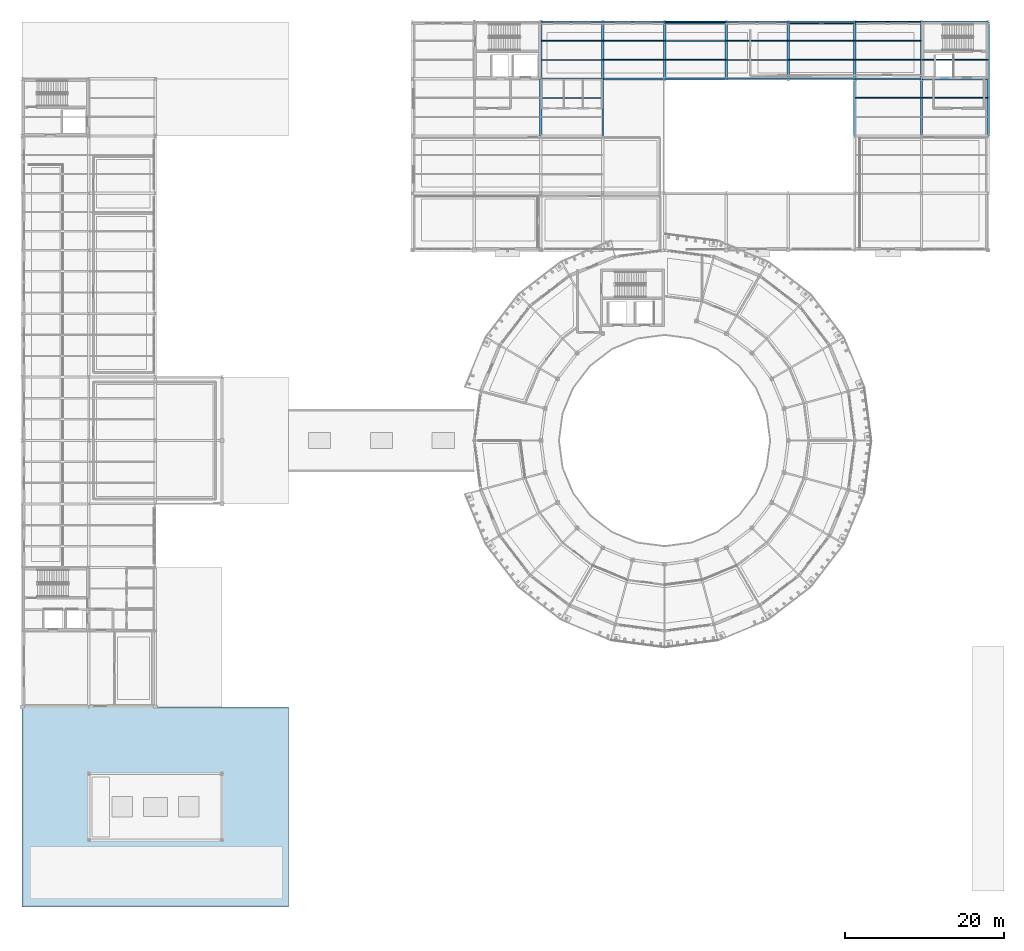
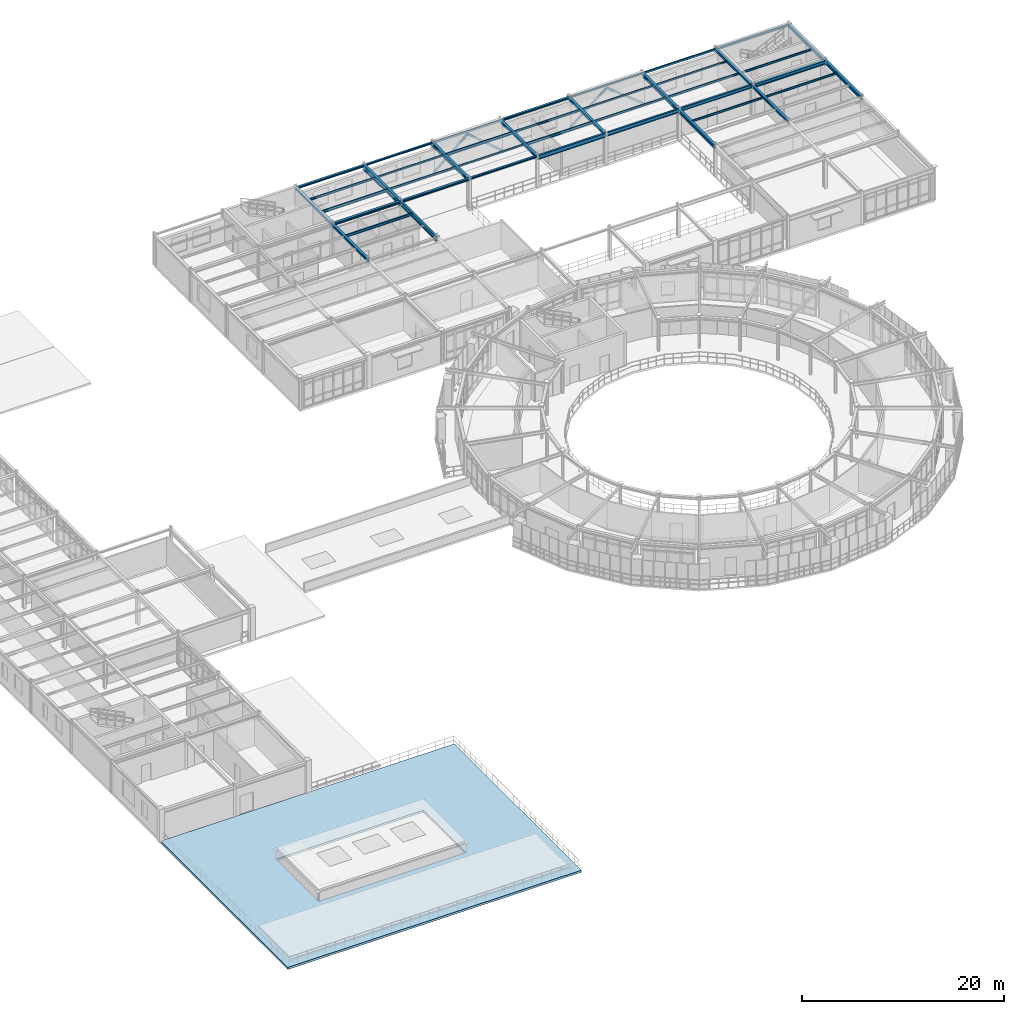
# One storey, part 39 of 70: 43 beams, 4 members, 1 slab.
"""IFC4 building model written with IfcOpenShell, lengths in metres."""

import ifcopenshell
import ifcopenshell.guid

model = None  # the IFC model being written
_history = None  # IfcOwnerHistory: only IFC2X3 demands one
_inside = {}  # id of a spatial element -> (the spatial element, [elements in it])
_under = {}  # id of a project, library or spatial element -> (it, [spatial elements below it])
_declared = {}  # id of a project -> (the project, [libraries it declares])
_typed = {}  # id of a type object -> (the type object, [elements of that type])
_made_of = {}  # id of a material, layer set ... -> (it, [elements and type objects made of it])


def new_model(schema):
    """Start an empty IFC model of exactly this schema.

    Asked for "IFC4X3", IfcOpenShell would pick the latest addendum, in which some entities
    have other attributes; the version numbers below select the first issue.
    IFC2X3 requires an IfcOwnerHistory on every rooted entity: one is made here for all.
    """
    global model, _history
    if schema == "IFC4X3":
        model = ifcopenshell.file(schema_version=(4, 3, 0, 0))
    else:
        model = ifcopenshell.file(schema=schema)
    _inside.clear()
    _under.clear()
    _declared.clear()
    _typed.clear()
    _made_of.clear()
    _history = None
    if model.schema == "IFC2X3":
        org = make("IfcOrganization", Name="unknown")
        user = make(
            "IfcPersonAndOrganization",
            ThePerson=make("IfcPerson", FamilyName="unknown"),
            TheOrganization=org,
        )
        app = make(
            "IfcApplication",
            ApplicationDeveloper=org,
            Version="unknown",
            ApplicationFullName="unknown",
            ApplicationIdentifier="unknown",
        )
        _history = make(
            "IfcOwnerHistory",
            OwningUser=user,
            OwningApplication=app,
            ChangeAction="ADDED",
            CreationDate=0,
        )
    return model


def make(cls, **values):
    """One entity of the class cls with the attributes given. An attribute that is None is left unset."""
    return model.create_entity(
        cls, **{name: value for name, value in values.items() if value is not None}
    )


def rooted(cls, **values):
    """An entity with a GlobalId (a new one), such as an element, a storey or a relation."""
    return make(cls, GlobalId=ifcopenshell.guid.new(), OwnerHistory=_history, **values)


def si_unit(unit_type, name, prefix=None):
    """IfcSIUnit, for example si_unit("LENGTHUNIT", "METRE", prefix="MILLI")."""
    return make("IfcSIUnit", UnitType=unit_type, Prefix=prefix, Name=name)


def derived_unit(unit_type, elements):
    """IfcDerivedUnit: a product of units, each with its exponent."""
    return make(
        "IfcDerivedUnit",
        Elements=[
            make("IfcDerivedUnitElement", Unit=unit, Exponent=power)
            for unit, power in elements
        ],
        UnitType=unit_type,
    )


def assignment(units):
    """IfcUnitAssignment: the units of a project."""
    return None if units is None else make("IfcUnitAssignment", Units=units)


def point(xyz):
    """IfcCartesianPoint."""
    return None if xyz is None else make("IfcCartesianPoint", Coordinates=xyz)


def direction(xyz):
    """IfcDirection."""
    return None if xyz is None else make("IfcDirection", DirectionRatios=xyz)


def frame(location, z_axis=None, x_axis=None):
    """IfcAxis2Placement3D, a coordinate frame: its origin and axes. An axis left out is left unset."""
    return make(
        "IfcAxis2Placement3D",
        Location=point(location),
        Axis=direction(z_axis),
        RefDirection=direction(x_axis),
    )


def frame_2d(location, x_axis=None):
    """IfcAxis2Placement2D, a coordinate frame in the plane: its origin and x axis."""
    return make(
        "IfcAxis2Placement2D", Location=point(location), RefDirection=direction(x_axis)
    )


def origin():
    """The frame at (0, 0, 0) with its axes left unset."""
    return frame((0.0, 0.0, 0.0))


def origin_2d():
    """The frame at (0, 0) in the plane with its x axis left unset."""
    return frame_2d((0.0, 0.0))


def place(relative_to, where):
    """IfcLocalPlacement: puts the frame where relative to a parent placement (None: the world)."""
    return make(
        "IfcLocalPlacement", PlacementRelTo=relative_to, RelativePlacement=where
    )


def context(
    kind, dimensions, precision=None, world=None, true_north=None, identifier=None
):
    """IfcGeometricRepresentationContext, for example the 3D "Model" context."""
    return make(
        "IfcGeometricRepresentationContext",
        ContextIdentifier=identifier,
        ContextType=kind,
        CoordinateSpaceDimension=dimensions,
        Precision=precision,
        WorldCoordinateSystem=world,
        TrueNorth=true_north,
    )


def subcontext(parent, identifier, kind, view, scale=None):
    """IfcGeometricRepresentationSubContext, for example "Body" below "Model"."""
    return make(
        "IfcGeometricRepresentationSubContext",
        ContextIdentifier=identifier,
        ContextType=kind,
        ParentContext=parent,
        TargetScale=scale,
        TargetView=view,
    )


def project(units=None, contexts=None):
    """IfcProject with its units and contexts."""
    return rooted(
        "IfcProject",
        Name="project",
        RepresentationContexts=contexts,
        UnitsInContext=assignment(units),
    )


def spatial(cls, under=None, at=None, **own):
    """A site, building, storey or space (cls), placed at a placement, below another one or the project."""
    s = rooted(cls, ObjectPlacement=at, **own)
    if under is not None:
        _under.setdefault(under.id(), (under, []))[1].append(s)
    return s


def polyline(points):
    """IfcPolyline through the points."""
    return make("IfcPolyline", Points=[point(p) for p in points])


def profile(cls, at=None, kind="AREA", **sizes):
    """A parametric profile (cls). Its sizes go by their IFC names, for example OverallWidth=200.0."""
    return make(cls, ProfileType=kind, Position=at, **sizes)


def hollow_rectangle(**sizes):
    """IfcRectangleHollowProfileDef."""
    return profile("IfcRectangleHollowProfileDef", **sizes)


def i_section(**sizes):
    """IfcIShapeProfileDef."""
    return profile("IfcIShapeProfileDef", **sizes)


def outline(outer, holes=None, kind="AREA"):
    """IfcArbitraryClosedProfileDef: a profile drawn as a closed curve; with holes, ...WithVoids."""
    if holes is None:
        return make("IfcArbitraryClosedProfileDef", ProfileType=kind, OuterCurve=outer)
    return make(
        "IfcArbitraryProfileDefWithVoids",
        ProfileType=kind,
        OuterCurve=outer,
        InnerCurves=holes,
    )


def extrude(swept, where, along, depth):
    """IfcExtrudedAreaSolid: the profile swept, set in the frame where, extruded along a direction by depth."""
    return make(
        "IfcExtrudedAreaSolid",
        SweptArea=swept,
        Position=where,
        ExtrudedDirection=direction(along),
        Depth=depth,
    )


def shape(context_of_items, identifier, shape_type, items):
    """IfcShapeRepresentation: the items that make up one representation, for example the "Body"."""
    return make(
        "IfcShapeRepresentation",
        ContextOfItems=context_of_items,
        RepresentationIdentifier=identifier,
        RepresentationType=shape_type,
        Items=items,
    )


def material(Name=None, Category=None):
    """IfcMaterial."""
    return make("IfcMaterial", Name=Name, Category=Category)


def layer(
    of_material, thickness, ventilated=None, Name=None, Category=None, Priority=None
):
    """IfcMaterialLayer: one layer of a wall or slab, of a material (None: an air gap)."""
    return make(
        "IfcMaterialLayer",
        Material=of_material,
        LayerThickness=thickness,
        IsVentilated=ventilated,
        Name=Name,
        Category=Category,
        Priority=Priority,
    )


def layer_set(layers, Name=None):
    """IfcMaterialLayerSet."""
    return make("IfcMaterialLayerSet", MaterialLayers=layers, LayerSetName=Name)


def material_profile(
    of_material, cross_section, Name=None, Category=None, Priority=None
):
    """IfcMaterialProfile: a cross section and its material."""
    return make(
        "IfcMaterialProfile",
        Name=Name,
        Material=of_material,
        Profile=cross_section,
        Priority=Priority,
        Category=Category,
    )


def profile_set(profiles, Name=None, composite=None):
    """IfcMaterialProfileSet."""
    return make(
        "IfcMaterialProfileSet",
        Name=Name,
        MaterialProfiles=profiles,
        CompositeProfile=composite,
    )


def made_of(thing, what):
    """Note that an element or type object is made of a material, layer set ...; save() writes the relation."""
    if what is not None:
        _made_of.setdefault(what.id(), (what, []))[1].append(thing)
    return thing


def type_object(cls, material=None, **own):
    """A type object (cls), such as IfcWallType, which elements share."""
    return made_of(rooted(cls, **own), material)


def element(
    cls,
    number,
    at=None,
    inside=None,
    cuts=None,
    type_object=None,
    material=None,
    context=None,
    identifier="Body",
    shape_type=None,
    held_by="IfcProductDefinitionShape",
    body=None,
    shapes=None,
    **own,
):
    """One element of the class cls, such as IfcWall. Its Tag is "e" and its number.

    at: its placement. inside: the storey or other place that contains it. cuts: it is an
    opening in that element (IfcRelVoidsElement). A single representation is given by context,
    identifier, shape_type and body (its items); several are given by shapes. held_by: the class
    of the entity that holds the representations. save() writes the other relations.
    """
    e = rooted(cls, Tag="e%d" % number, ObjectPlacement=at, **own)
    if body is not None:
        shapes = [shape(context, identifier, shape_type, body)]
    if shapes is not None:
        e.Representation = make(held_by, Representations=shapes)
    if inside is not None:
        _inside.setdefault(inside.id(), (inside, []))[1].append(e)
    if cuts is not None:
        rooted(
            "IfcRelVoidsElement", RelatingBuildingElement=cuts, RelatedOpeningElement=e
        )
    if type_object is not None:
        _typed.setdefault(type_object.id(), (type_object, []))[1].append(e)
    return made_of(e, material)


def aggregate(whole, parts):
    """IfcRelAggregates: a whole, such as a stair, and the parts it consists of."""
    return rooted("IfcRelAggregates", RelatingObject=whole, RelatedObjects=parts)


def save(model, path):
    """Write the relations noted so far, then the file.

    IfcRelAggregates (storeys below a building ...), IfcRelContainedInSpatialStructure (elements
    in a storey), IfcRelDefinesByType, IfcRelAssociatesMaterial and IfcRelDeclares: one each for
    every whole, place, type object, material and project.
    """
    for whole, parts in _under.values():
        aggregate(whole, parts)
    for where, things in _inside.values():
        rooted(
            "IfcRelContainedInSpatialStructure",
            RelatedElements=things,
            RelatingStructure=where,
        )
    for kind, things in _typed.values():
        rooted("IfcRelDefinesByType", RelatedObjects=things, RelatingType=kind)
    for what, things in _made_of.values():
        rooted("IfcRelAssociatesMaterial", RelatedObjects=things, RelatingMaterial=what)
    for by, libraries in _declared.values():
        rooted("IfcRelDeclares", RelatingContext=by, RelatedDefinitions=libraries)
    model.write(path)


model = new_model("IFC4")

# Units and contexts
model_context = context("Model", 3, precision=1e-05, world=origin(), true_north=direction((0.0, 1.0)))
body_context = subcontext(model_context, "Body", "Model", "MODEL_VIEW")
ifc_project = project(units=[si_unit("LENGTHUNIT", "METRE"), si_unit("AREAUNIT", "SQUARE_METRE"), si_unit("VOLUMEUNIT", "CUBIC_METRE"), si_unit("PLANEANGLEUNIT", "RADIAN"), si_unit("MASSUNIT", "GRAM", prefix="KILO"), derived_unit("THERMALTRANSMITTANCEUNIT", [(si_unit("POWERUNIT", "WATT"), 1), (si_unit("AREAUNIT", "SQUARE_METRE"), -1), (si_unit("THERMODYNAMICTEMPERATUREUNIT", "KELVIN"), -1)])], contexts=[model_context])

# Site, building, storey
site_placement = place(None, origin())
site = spatial("IfcSite", under=ifc_project, at=site_placement, CompositionType="ELEMENT")
building_placement = place(site_placement, origin())
building = spatial("IfcBuilding", under=site, at=building_placement, Name="Yasenodar Specialist Clinic", CompositionType="ELEMENT")
storey_placement = place(building_placement, frame((0.0, 0.0, 13.199951171875)))
storey = spatial("IfcBuildingStorey", under=building, at=storey_placement, Name="L03", CompositionType="ELEMENT", Elevation=13.199951171875)

# Beams
ifc_material_1 = material(Name="Steel S355", Category="steel")
ifc_material_profile_1 = material_profile(ifc_material_1, i_section(OverallWidth=0.219970703125, OverallDepth=0.2099609375, WebThickness=0.007080078125, FlangeThickness=0.010986328125, FilletRadius=0.01806640625, at=origin_2d()), Name="HEA 220")
ifc_profile_set_1 = profile_set([ifc_material_profile_1], Name="Steel S355")
beam_type_1 = type_object("IfcBeamType", Name="BM-HEA220", PredefinedType="BEAM", material=ifc_profile_set_1)
beam_1_placement = place(storey_placement, frame((81.0, 104.39990234375, 3.695068359375), z_axis=(1.0, 0.0, 0.0), x_axis=(0.0, 1.0, 0.0)))
element("IfcBeam", 1, at=beam_1_placement, inside=storey, type_object=beam_type_1, Name="L03 Primary E-W Girder", PredefinedType="BEAM", context=body_context, shape_type="SweptSolid", body=[
    extrude(i_section(OverallWidth=0.219970703125, OverallDepth=0.2099609375, WebThickness=0.007080078125, FlangeThickness=0.010986328125, FilletRadius=0.01806640625, at=origin_2d()), origin(), (0.0, 0.0, 1.0), 7.800048828125),
])
ifc_material_profile_2 = material_profile(ifc_material_1, i_section(OverallWidth=0.260009765625, OverallDepth=0.25, WebThickness=0.007568359375, FlangeThickness=0.012451171875, FilletRadius=0.02392578125, at=origin_2d()), Name="HEA 260")
ifc_profile_set_2 = profile_set([ifc_material_profile_2], Name="Steel S355")
beam_type_2 = type_object("IfcBeamType", Name="BM-HEA260", PredefinedType="BEAM", material=ifc_profile_set_2)
beam_2_placement = place(storey_placement, frame((73.199951171875, 104.39990234375, 3.675048828125), z_axis=(1.0, 0.0, 0.0), x_axis=(0.0, 1.0, 0.0)))
element("IfcBeam", 2, at=beam_2_placement, inside=storey, type_object=beam_type_2, Name="L03 Primary E-W Girder", PredefinedType="BEAM", context=body_context, shape_type="SweptSolid", body=[
    extrude(i_section(OverallWidth=0.260009765625, OverallDepth=0.25, WebThickness=0.007568359375, FlangeThickness=0.012451171875, FilletRadius=0.02392578125, at=origin_2d()), origin(), (0.0, 0.0, 1.0), 7.800048828125),
])
ifc_material_profile_3 = material_profile(ifc_material_1, i_section(OverallWidth=0.280029296875, OverallDepth=0.27001953125, WebThickness=0.008056640625, FlangeThickness=0.012939453125, FilletRadius=0.02392578125, at=origin_2d()), Name="HEA 280")
ifc_profile_set_3 = profile_set([ifc_material_profile_3], Name="Steel S355")
beam_type_3 = type_object("IfcBeamType", Name="BM-HEA280", PredefinedType="BEAM", material=ifc_profile_set_3)
beam_3_placement = place(storey_placement, frame((65.39990234375, 104.39990234375, 3.6650390625), z_axis=(1.0, 0.0, 0.0), x_axis=(0.0, 1.0, 0.0)))
element("IfcBeam", 3, at=beam_3_placement, inside=storey, type_object=beam_type_3, Name="L03 Primary E-W Girder", PredefinedType="BEAM", context=body_context, shape_type="SweptSolid", body=[
    extrude(i_section(OverallWidth=0.280029296875, OverallDepth=0.27001953125, WebThickness=0.008056640625, FlangeThickness=0.012939453125, FilletRadius=0.02392578125, at=origin_2d()), origin(), (0.0, 0.0, 1.0), 7.800048828125),
])
ifc_material_profile_4 = material_profile(ifc_material_1, i_section(OverallWidth=0.300048828125, OverallDepth=0.2900390625, WebThickness=0.008544921875, FlangeThickness=0.013916015625, FilletRadius=0.027099609375, at=origin_2d()), Name="HEA 300")
ifc_profile_set_4 = profile_set([ifc_material_profile_4], Name="Steel S355")
beam_type_4 = type_object("IfcBeamType", Name="BM-HEA300", PredefinedType="BEAM", material=ifc_profile_set_4)
for number, where, z_axis, x_axis, name in (
    (4, (96.60009765625, 104.39990234375, 3.655029296875), (0.0, 1.0, 0.0), (-1.0, 0.0, 0.0), "L03 Primary N-S Girder"),
    (5, (113.39990234375, 104.39990234375, 3.655029296875), (0.0, 1.0, 0.0), (-1.0, 0.0, 0.0), "L03 Primary N-S Girder"),
):
    element("IfcBeam", number, at=place(storey_placement, frame(where, z_axis=z_axis, x_axis=x_axis)), inside=storey, type_object=beam_type_4, Name=name, PredefinedType="BEAM", context=body_context, shape_type="SweptSolid", body=[
        extrude(i_section(OverallWidth=0.300048828125, OverallDepth=0.2900390625, WebThickness=0.008544921875, FlangeThickness=0.013916015625, FilletRadius=0.027099609375, at=origin_2d()), origin(), (0.0, 0.0, 1.0), 7.2001953125),
    ])
ifc_material_profile_5 = material_profile(ifc_material_1, i_section(OverallWidth=0.300048828125, OverallDepth=0.43994140625, WebThickness=0.011474609375, FlangeThickness=0.02099609375, FilletRadius=0.027099609375, at=origin_2d()), Name="HEA 450")
ifc_profile_set_5 = profile_set([ifc_material_profile_5], Name="Steel S355")
beam_type_5 = type_object("IfcBeamType", Name="BM-HEA450", PredefinedType="BEAM", material=ifc_profile_set_5)
beam_4_placement = place(storey_placement, frame((113.39990234375, 104.39990234375, 3.580078125), z_axis=(1.0, 0.0, 0.0), x_axis=(0.0, 1.0, 0.0)))
element("IfcBeam", 6, at=beam_4_placement, inside=storey, type_object=beam_type_5, Name="L03 Primary E-W Girder", PredefinedType="BEAM", context=body_context, shape_type="SweptSolid", body=[
    extrude(i_section(OverallWidth=0.300048828125, OverallDepth=0.43994140625, WebThickness=0.011474609375, FlangeThickness=0.02099609375, FilletRadius=0.027099609375, at=origin_2d()), origin(), (0.0, 0.0, 1.0), 8.400146484375),
])
ifc_material_profile_6 = material_profile(ifc_material_1, i_section(OverallWidth=0.280029296875, OverallDepth=0.280029296875, WebThickness=0.010498046875, FlangeThickness=0.01806640625, FilletRadius=0.02392578125, at=origin_2d()), Name="HEB 280")
ifc_profile_set_6 = profile_set([ifc_material_profile_6], Name="Steel S355")
beam_type_6 = type_object("IfcBeamType", Name="BM-HEB280", PredefinedType="BEAM", material=ifc_profile_set_6)
beam_5_placement = place(storey_placement, frame((113.39990234375, 97.199951171875, 3.66015625), z_axis=(0.0, 1.0, 0.0), x_axis=(-1.0, 0.0, 0.0)))
element("IfcBeam", 7, at=beam_5_placement, inside=storey, type_object=beam_type_6, Name="L03 Primary N-S Girder", PredefinedType="BEAM", context=body_context, shape_type="SweptSolid", body=[
    extrude(i_section(OverallWidth=0.280029296875, OverallDepth=0.280029296875, WebThickness=0.010498046875, FlangeThickness=0.01806640625, FilletRadius=0.02392578125, at=origin_2d()), origin(), (0.0, 0.0, 1.0), 7.199951171875),
])
ifc_material_profile_7 = material_profile(ifc_material_1, i_section(OverallWidth=0.300048828125, OverallDepth=0.300048828125, WebThickness=0.010986328125, FlangeThickness=0.01904296875, FilletRadius=0.027099609375, at=origin_2d()), Name="HEB 300")
ifc_profile_set_7 = profile_set([ifc_material_profile_7], Name="Steel S355")
beam_type_7 = type_object("IfcBeamType", Name="BM-HEB300", PredefinedType="BEAM", material=ifc_profile_set_7)
for number, where, z_axis, x_axis, name in (
    (8, (65.39990234375, 104.39990234375, 3.650146484375), (0.0, 1.0, 0.0), (-1.0, 0.0, 0.0), "L03 Primary N-S Girder"),
    (9, (88.800048828125, 104.39990234375, 3.650146484375), (0.0, 1.0, 0.0), (-1.0, 0.0, 0.0), "L03 Primary N-S Girder"),
):
    element("IfcBeam", number, at=place(storey_placement, frame(where, z_axis=z_axis, x_axis=x_axis)), inside=storey, type_object=beam_type_7, Name=name, PredefinedType="BEAM", context=body_context, shape_type="SweptSolid", body=[
        extrude(i_section(OverallWidth=0.300048828125, OverallDepth=0.300048828125, WebThickness=0.010986328125, FlangeThickness=0.01904296875, FilletRadius=0.027099609375, at=origin_2d()), origin(), (0.0, 0.0, 1.0), 7.2001953125),
    ])
ifc_material_profile_8 = material_profile(ifc_material_1, i_section(OverallWidth=0.300048828125, OverallDepth=0.340087890625, WebThickness=0.011962890625, FlangeThickness=0.021484375, FilletRadius=0.027099609375, at=origin_2d()), Name="HEB 340")
ifc_profile_set_8 = profile_set([ifc_material_profile_8], Name="Steel S355")
beam_type_8 = type_object("IfcBeamType", Name="BM-HEB340", PredefinedType="BEAM", material=ifc_profile_set_8)
beam_6_placement = place(storey_placement, frame((65.39990234375, 97.199951171875, 3.630126953125), z_axis=(0.0, 1.0, 0.0), x_axis=(-1.0, 0.0, 0.0)))
element("IfcBeam", 10, at=beam_6_placement, inside=storey, type_object=beam_type_8, Name="L03 Primary N-S Girder", PredefinedType="BEAM", context=body_context, shape_type="SweptSolid", body=[
    extrude(i_section(OverallWidth=0.300048828125, OverallDepth=0.340087890625, WebThickness=0.011962890625, FlangeThickness=0.021484375, FilletRadius=0.027099609375, at=origin_2d()), origin(), (0.0, 0.0, 1.0), 7.199951171875),
])
ifc_material_profile_9 = material_profile(ifc_material_1, i_section(OverallWidth=0.300048828125, OverallDepth=0.39990234375, WebThickness=0.013427734375, FlangeThickness=0.02392578125, FilletRadius=0.027099609375, at=origin_2d()), Name="HEB 400")
ifc_profile_set_9 = profile_set([ifc_material_profile_9], Name="Steel S355")
beam_type_9 = type_object("IfcBeamType", Name="BM-HEB400", PredefinedType="BEAM", material=ifc_profile_set_9)
for number, where, z_axis, x_axis, name in (
    (11, (81.0, 104.39990234375, 3.60009765625), (0.0, 1.0, 0.0), (-1.0, 0.0, 0.0), "L03 Primary N-S Girder"),
    (12, (105.0, 104.39990234375, 3.60009765625), (0.0, 1.0, 0.0), (-1.0, 0.0, 0.0), "L03 Primary N-S Girder"),
    (13, (121.800048828125, 104.39990234375, 3.60009765625), (0.0, 1.0, 0.0), (-1.0, 0.0, 0.0), "L03 Primary N-S Girder"),
):
    element("IfcBeam", number, at=place(storey_placement, frame(where, z_axis=z_axis, x_axis=x_axis)), inside=storey, type_object=beam_type_9, Name=name, PredefinedType="BEAM", context=body_context, shape_type="SweptSolid", body=[
        extrude(i_section(OverallWidth=0.300048828125, OverallDepth=0.39990234375, WebThickness=0.013427734375, FlangeThickness=0.02392578125, FilletRadius=0.027099609375, at=origin_2d()), origin(), (0.0, 0.0, 1.0), 7.2001953125),
    ])
ifc_material_profile_10 = material_profile(ifc_material_1, i_section(OverallWidth=0.300048828125, OverallDepth=0.449951171875, WebThickness=0.013916015625, FlangeThickness=0.02587890625, FilletRadius=0.027099609375, at=origin_2d()), Name="HEB 450")
ifc_profile_set_10 = profile_set([ifc_material_profile_10], Name="Steel S355")
beam_type_10 = type_object("IfcBeamType", Name="BM-HEB450", PredefinedType="BEAM", material=ifc_profile_set_10)
for number, where, z_axis, x_axis, name in (
    (14, (105.0, 97.199951171875, 3.574951171875), (0.0, 1.0, 0.0), (-1.0, 0.0, 0.0), "L03 Primary N-S Girder"),
    (15, (121.800048828125, 97.199951171875, 3.574951171875), (0.0, 1.0, 0.0), (-1.0, 0.0, 0.0), "L03 Primary N-S Girder"),
):
    element("IfcBeam", number, at=place(storey_placement, frame(where, z_axis=z_axis, x_axis=x_axis)), inside=storey, type_object=beam_type_10, Name=name, PredefinedType="BEAM", context=body_context, shape_type="SweptSolid", body=[
        extrude(i_section(OverallWidth=0.300048828125, OverallDepth=0.449951171875, WebThickness=0.013916015625, FlangeThickness=0.02587890625, FilletRadius=0.027099609375, at=origin_2d()), origin(), (0.0, 0.0, 1.0), 7.199951171875),
    ])
ifc_material_profile_11 = material_profile(ifc_material_1, i_section(OverallWidth=0.300048828125, OverallDepth=0.60009765625, WebThickness=0.015380859375, FlangeThickness=0.030029296875, FilletRadius=0.027099609375, at=origin_2d()), Name="HEB 600")
ifc_profile_set_11 = profile_set([ifc_material_profile_11], Name="Steel S355")
beam_type_11 = type_object("IfcBeamType", Name="BM-HEB600", PredefinedType="BEAM", material=ifc_profile_set_11)
beam_7_placement = place(storey_placement, frame((73.199951171875, 104.39990234375, 3.5), z_axis=(0.0, 1.0, 0.0), x_axis=(-1.0, 0.0, 0.0)))
element("IfcBeam", 16, at=beam_7_placement, inside=storey, type_object=beam_type_11, Name="L03 Primary N-S Girder", PredefinedType="BEAM", context=body_context, shape_type="SweptSolid", body=[
    extrude(i_section(OverallWidth=0.300048828125, OverallDepth=0.60009765625, WebThickness=0.015380859375, FlangeThickness=0.030029296875, FilletRadius=0.027099609375, at=origin_2d()), origin(), (0.0, 0.0, 1.0), 7.2001953125),
])
ifc_material_profile_12 = material_profile(ifc_material_1, i_section(OverallWidth=0.179931640625, OverallDepth=0.39990234375, WebThickness=0.008544921875, FlangeThickness=0.013427734375, FilletRadius=0.02099609375, at=origin_2d()), Name="IPE 400")
ifc_profile_set_12 = profile_set([ifc_material_profile_12], Name="Steel S355")
beam_type_12 = type_object("IfcBeamType", Name="BM-IPE400", PredefinedType="BEAM", material=ifc_profile_set_12)
beam_8_placement = place(storey_placement, frame((105.0, 104.39990234375, 3.60009765625), z_axis=(1.0, 0.0, 0.0), x_axis=(0.0, 1.0, 0.0)))
element("IfcBeam", 17, at=beam_8_placement, inside=storey, type_object=beam_type_12, Name="L03 Primary E-W Girder", PredefinedType="BEAM", context=body_context, shape_type="SweptSolid", body=[
    extrude(i_section(OverallWidth=0.179931640625, OverallDepth=0.39990234375, WebThickness=0.008544921875, FlangeThickness=0.013427734375, FilletRadius=0.02099609375, at=origin_2d()), origin(), (0.0, 0.0, 1.0), 8.39990234375),
])
ifc_material_profile_13 = material_profile(ifc_material_1, i_section(OverallWidth=0.18994140625, OverallDepth=0.449951171875, WebThickness=0.009521484375, FlangeThickness=0.0146484375, FilletRadius=0.02099609375, at=origin_2d()), Name="IPE 450")
ifc_profile_set_13 = profile_set([ifc_material_profile_13], Name="Steel S355")
beam_type_13 = type_object("IfcBeamType", Name="BM-IPE450", PredefinedType="BEAM", material=ifc_profile_set_13)
beam_9_placement = place(storey_placement, frame((96.60009765625, 104.39990234375, 3.574951171875), z_axis=(1.0, 0.0, 0.0), x_axis=(0.0, 1.0, 0.0)))
element("IfcBeam", 18, at=beam_9_placement, inside=storey, type_object=beam_type_13, Name="L03 Primary E-W Girder", PredefinedType="BEAM", context=body_context, shape_type="SweptSolid", body=[
    extrude(i_section(OverallWidth=0.18994140625, OverallDepth=0.449951171875, WebThickness=0.009521484375, FlangeThickness=0.0146484375, FilletRadius=0.02099609375, at=origin_2d()), origin(), (0.0, 0.0, 1.0), 8.39990234375),
])
ifc_material_profile_14 = material_profile(ifc_material_1, i_section(OverallWidth=0.199951171875, OverallDepth=0.5, WebThickness=0.01025390625, FlangeThickness=0.01611328125, FilletRadius=0.02099609375, at=origin_2d()), Name="IPE 500")
ifc_profile_set_14 = profile_set([ifc_material_profile_14], Name="Steel S355")
beam_type_14 = type_object("IfcBeamType", Name="BM-IPE500", PredefinedType="BEAM", material=ifc_profile_set_14)
beam_10_placement = place(storey_placement, frame((88.800048828125, 104.39990234375, 3.550048828125), z_axis=(1.0, 0.0, 0.0), x_axis=(0.0, 1.0, 0.0)))
element("IfcBeam", 19, at=beam_10_placement, inside=storey, type_object=beam_type_14, Name="L03 Primary E-W Girder", PredefinedType="BEAM", context=body_context, shape_type="SweptSolid", body=[
    extrude(i_section(OverallWidth=0.199951171875, OverallDepth=0.5, WebThickness=0.01025390625, FlangeThickness=0.01611328125, FilletRadius=0.02099609375, at=origin_2d()), origin(), (0.0, 0.0, 1.0), 7.800048828125),
])
ifc_material_profile_15 = material_profile(ifc_material_1, i_section(OverallWidth=0.2099609375, OverallDepth=0.550048828125, WebThickness=0.010986328125, FlangeThickness=0.01708984375, FilletRadius=0.02392578125, at=origin_2d()), Name="IPE 550")
ifc_profile_set_15 = profile_set([ifc_material_profile_15], Name="Steel S355")
beam_type_15 = type_object("IfcBeamType", Name="BM-IPE550", PredefinedType="BEAM", material=ifc_profile_set_15)
beam_11_placement = place(storey_placement, frame((73.199951171875, 97.199951171875, 3.525146484375), z_axis=(0.0, 1.0, 0.0), x_axis=(-1.0, 0.0, 0.0)))
element("IfcBeam", 20, at=beam_11_placement, inside=storey, type_object=beam_type_15, Name="L03 Primary N-S Girder", PredefinedType="BEAM", context=body_context, shape_type="SweptSolid", body=[
    extrude(i_section(OverallWidth=0.2099609375, OverallDepth=0.550048828125, WebThickness=0.010986328125, FlangeThickness=0.01708984375, FilletRadius=0.02392578125, at=origin_2d()), origin(), (0.0, 0.0, 1.0), 7.199951171875),
])

# Members
ifc_material_profile_16 = material_profile(ifc_material_1, hollow_rectangle(XDim=0.14990234375, YDim=0.25, WallThickness=0.010009765625, InnerFilletRadius=0.014892578125, OuterFilletRadius=0.02490234375, at=origin_2d()), Name="RHS 250x150x10")
ifc_profile_set_16 = profile_set([ifc_material_profile_16], Name="Steel S355")
member_type_1 = type_object("IfcMemberType", Name="BR-LAT-RHS250", PredefinedType="BRACE", material=ifc_profile_set_16)
for number, where, z_axis, x_axis, name in (
    (21, (96.60009765625, 111.425048828125, 0.150146484375), (0.781785728654, 0.0, 0.623547171009), (0.0, 1.0, 0.0), "L03 Lateral Chevron Brace 14A"),
    (22, (105.0, 111.425048828125, 0.150146484375), (-0.781785728654, 0.0, 0.623547171009), (0.0, -1.0, 0.0), "L03 Lateral Chevron Brace 14B"),
):
    element("IfcMember", number, at=place(storey_placement, frame(where, z_axis=z_axis, x_axis=x_axis)), inside=storey, type_object=member_type_1, Name=name, PredefinedType="BRACE", context=body_context, shape_type="SweptSolid", body=[
        extrude(hollow_rectangle(XDim=0.14990234375, YDim=0.25, WallThickness=0.010009765625, InnerFilletRadius=0.014892578125, OuterFilletRadius=0.02490234375, at=origin_2d()), origin(), (0.0, 0.0, 1.0), 5.372314453125),
    ])
ifc_material_profile_17 = material_profile(ifc_material_1, hollow_rectangle(XDim=0.219970703125, YDim=0.219970703125, WallThickness=0.012451171875, InnerFilletRadius=0.018798828125, OuterFilletRadius=0.03125, at=origin_2d()), Name="SHS 220x220x12.5")
ifc_profile_set_17 = profile_set([ifc_material_profile_17], Name="Steel S355")
member_type_2 = type_object("IfcMemberType", Name="BR-LAT-SHS220", PredefinedType="BRACE", material=ifc_profile_set_17)
member_1_placement = place(storey_placement, frame((81.0, 111.425048828125, 0.150146484375), z_axis=(0.758575710056, 0.0, 0.65158490783), x_axis=(0.0, 1.0, 0.0)))
element("IfcMember", 23, at=member_1_placement, inside=storey, type_object=member_type_2, Name="L03 Lateral Chevron Brace 07A", PredefinedType="BRACE", context=body_context, shape_type="SweptSolid", body=[
    extrude(hollow_rectangle(XDim=0.219970703125, YDim=0.219970703125, WallThickness=0.012451171875, InnerFilletRadius=0.018798828125, OuterFilletRadius=0.03125, at=origin_2d()), origin(), (0.0, 0.0, 1.0), 5.14111328125),
])
member_2_placement = place(storey_placement, frame((88.800048828125, 111.425048828125, 0.150146484375), z_axis=(-0.758595870673, 0.0, 0.651561436088), x_axis=(0.0, -1.0, 0.0)))
element("IfcMember", 24, at=member_2_placement, inside=storey, type_object=member_type_2, Name="L03 Lateral Chevron Brace 07B", PredefinedType="BRACE", context=body_context, shape_type="SweptSolid", body=[
    extrude(hollow_rectangle(XDim=0.219970703125, YDim=0.219970703125, WallThickness=0.012451171875, InnerFilletRadius=0.018798828125, OuterFilletRadius=0.03125, at=origin_2d()), origin(), (0.0, 0.0, 1.0), 5.141357421875),
])

# Beams
ifc_material_profile_18 = material_profile(ifc_material_1, i_section(OverallWidth=0.10009765625, OverallDepth=0.199951171875, WebThickness=0.005615234375, FlangeThickness=0.008544921875, FilletRadius=0.011962890625, at=origin_2d()), Name="IPE 200")
ifc_profile_set_18 = profile_set([ifc_material_profile_18], Name="Steel S355")
beam_type_16 = type_object("IfcBeamType", Name="JS-IPE200", PredefinedType="JOIST", material=ifc_profile_set_18)
for number, where, z_axis, x_axis, name in (
    (25, (73.280029296875, 109.199951171875, 3.699951171875), (1.0, 0.0, 0.0), (0.0, 1.0, 0.0), "L03 Composite Floor Joist"),
    (26, (81.080078125, 106.800048828125, 3.699951171875), (1.0, 0.0, 0.0), (0.0, 1.0, 0.0), "L03 Composite Floor Joist"),
):
    element("IfcBeam", number, at=place(storey_placement, frame(where, z_axis=z_axis, x_axis=x_axis)), inside=storey, type_object=beam_type_16, Name=name, PredefinedType="JOIST", context=body_context, shape_type="SweptSolid", body=[
        extrude(i_section(OverallWidth=0.10009765625, OverallDepth=0.199951171875, WebThickness=0.005615234375, FlangeThickness=0.008544921875, FilletRadius=0.011962890625, at=origin_2d()), origin(), (0.0, 0.0, 1.0), 7.639892578125),
    ])
for number, where, z_axis, x_axis, name in (
    (27, (96.679931640625, 109.199951171875, 3.699951171875), (1.0, 0.0, 0.0), (0.0, 1.0, 0.0), "L03 Composite Floor Joist"),
    (28, (105.080078125, 109.199951171875, 3.699951171875), (1.0, 0.0, 0.0), (0.0, 1.0, 0.0), "L03 Composite Floor Joist"),
):
    element("IfcBeam", number, at=place(storey_placement, frame(where, z_axis=z_axis, x_axis=x_axis)), inside=storey, type_object=beam_type_16, Name=name, PredefinedType="JOIST", context=body_context, shape_type="SweptSolid", body=[
        extrude(i_section(OverallWidth=0.10009765625, OverallDepth=0.199951171875, WebThickness=0.005615234375, FlangeThickness=0.008544921875, FilletRadius=0.011962890625, at=origin_2d()), origin(), (0.0, 0.0, 1.0), 8.239990234375),
    ])
ifc_material_profile_19 = material_profile(ifc_material_1, i_section(OverallWidth=0.1201171875, OverallDepth=0.239990234375, WebThickness=0.006103515625, FlangeThickness=0.009765625, FilletRadius=0.014892578125, at=origin_2d()), Name="IPE 240")
ifc_profile_set_19 = profile_set([ifc_material_profile_19], Name="Steel S355")
beam_type_17 = type_object("IfcBeamType", Name="JS-IPE240", PredefinedType="JOIST", material=ifc_profile_set_19)
beam_12_placement = place(storey_placement, frame((65.47998046875, 109.199951171875, 3.679931640625), z_axis=(1.0, 0.0, 0.0), x_axis=(0.0, 1.0, 0.0)))
element("IfcBeam", 29, at=beam_12_placement, inside=storey, type_object=beam_type_17, Name="L03 Composite Floor Joist", PredefinedType="JOIST", context=body_context, shape_type="SweptSolid", body=[
    extrude(i_section(OverallWidth=0.1201171875, OverallDepth=0.239990234375, WebThickness=0.006103515625, FlangeThickness=0.009765625, FilletRadius=0.014892578125, at=origin_2d()), origin(), (0.0, 0.0, 1.0), 7.64013671875),
])
beam_13_placement = place(storey_placement, frame((73.280029296875, 106.800048828125, 3.679931640625), z_axis=(1.0, 0.0, 0.0), x_axis=(0.0, 1.0, 0.0)))
element("IfcBeam", 30, at=beam_13_placement, inside=storey, type_object=beam_type_17, Name="L03 Composite Floor Joist", PredefinedType="JOIST", context=body_context, shape_type="SweptSolid", body=[
    extrude(i_section(OverallWidth=0.1201171875, OverallDepth=0.239990234375, WebThickness=0.006103515625, FlangeThickness=0.009765625, FilletRadius=0.014892578125, at=origin_2d()), origin(), (0.0, 0.0, 1.0), 7.639892578125),
])
beam_14_placement = place(storey_placement, frame((88.8798828125, 109.199951171875, 3.679931640625), z_axis=(1.0, 0.0, 0.0), x_axis=(0.0, 1.0, 0.0)))
element("IfcBeam", 31, at=beam_14_placement, inside=storey, type_object=beam_type_17, Name="L03 Composite Floor Joist", PredefinedType="JOIST", context=body_context, shape_type="SweptSolid", body=[
    extrude(i_section(OverallWidth=0.1201171875, OverallDepth=0.239990234375, WebThickness=0.006103515625, FlangeThickness=0.009765625, FilletRadius=0.014892578125, at=origin_2d()), origin(), (0.0, 0.0, 1.0), 7.64013671875),
])
for number, where, z_axis, x_axis, name in (
    (32, (96.679931640625, 106.800048828125, 3.679931640625), (1.0, 0.0, 0.0), (0.0, 1.0, 0.0), "L03 Composite Floor Joist"),
    (33, (105.080078125, 102.0, 3.679931640625), (1.0, 0.0, 0.0), (0.0, 1.0, 0.0), "L03 Composite Floor Joist"),
    (34, (105.080078125, 106.800048828125, 3.679931640625), (1.0, 0.0, 0.0), (0.0, 1.0, 0.0), "L03 Composite Floor Joist"),
    (35, (113.47998046875, 102.0, 3.679931640625), (1.0, 0.0, 0.0), (0.0, 1.0, 0.0), "L03 Composite Floor Joist"),
    (36, (113.47998046875, 106.800048828125, 3.679931640625), (1.0, 0.0, 0.0), (0.0, 1.0, 0.0), "L03 Composite Floor Joist"),
):
    element("IfcBeam", number, at=place(storey_placement, frame(where, z_axis=z_axis, x_axis=x_axis)), inside=storey, type_object=beam_type_17, Name=name, PredefinedType="JOIST", context=body_context, shape_type="SweptSolid", body=[
        extrude(i_section(OverallWidth=0.1201171875, OverallDepth=0.239990234375, WebThickness=0.006103515625, FlangeThickness=0.009765625, FilletRadius=0.014892578125, at=origin_2d()), origin(), (0.0, 0.0, 1.0), 8.239990234375),
    ])
ifc_material_profile_20 = material_profile(ifc_material_1, i_section(OverallWidth=0.14990234375, OverallDepth=0.300048828125, WebThickness=0.007080078125, FlangeThickness=0.0107421875, FilletRadius=0.014892578125, at=origin_2d()), Name="IPE 300")
ifc_profile_set_20 = profile_set([ifc_material_profile_20], Name="Steel S355")
beam_type_18 = type_object("IfcBeamType", Name="JS-IPE300", PredefinedType="JOIST", material=ifc_profile_set_20)
for number, where, z_axis, x_axis, name in (
    (37, (65.47998046875, 102.0, 3.650146484375), (1.0, 0.0, 0.0), (0.0, 1.0, 0.0), "L03 Composite Floor Joist"),
    (38, (65.47998046875, 106.800048828125, 3.650146484375), (1.0, 0.0, 0.0), (0.0, 1.0, 0.0), "L03 Composite Floor Joist"),
):
    element("IfcBeam", number, at=place(storey_placement, frame(where, z_axis=z_axis, x_axis=x_axis)), inside=storey, type_object=beam_type_18, Name=name, PredefinedType="JOIST", context=body_context, shape_type="SweptSolid", body=[
        extrude(i_section(OverallWidth=0.14990234375, OverallDepth=0.300048828125, WebThickness=0.007080078125, FlangeThickness=0.0107421875, FilletRadius=0.014892578125, at=origin_2d()), origin(), (0.0, 0.0, 1.0), 7.64013671875),
    ])
beam_15_placement = place(storey_placement, frame((81.080078125, 109.199951171875, 3.650146484375), z_axis=(1.0, 0.0, 0.0), x_axis=(0.0, 1.0, 0.0)))
element("IfcBeam", 39, at=beam_15_placement, inside=storey, type_object=beam_type_18, Name="L03 Composite Floor Joist", PredefinedType="JOIST", context=body_context, shape_type="SweptSolid", body=[
    extrude(i_section(OverallWidth=0.14990234375, OverallDepth=0.300048828125, WebThickness=0.007080078125, FlangeThickness=0.0107421875, FilletRadius=0.014892578125, at=origin_2d()), origin(), (0.0, 0.0, 1.0), 7.639892578125),
])
beam_16_placement = place(storey_placement, frame((88.8798828125, 106.800048828125, 3.650146484375), z_axis=(1.0, 0.0, 0.0), x_axis=(0.0, 1.0, 0.0)))
element("IfcBeam", 40, at=beam_16_placement, inside=storey, type_object=beam_type_18, Name="L03 Composite Floor Joist", PredefinedType="JOIST", context=body_context, shape_type="SweptSolid", body=[
    extrude(i_section(OverallWidth=0.14990234375, OverallDepth=0.300048828125, WebThickness=0.007080078125, FlangeThickness=0.0107421875, FilletRadius=0.014892578125, at=origin_2d()), origin(), (0.0, 0.0, 1.0), 7.64013671875),
])
ifc_material_profile_21 = material_profile(ifc_material_1, i_section(OverallWidth=0.199951171875, OverallDepth=0.18994140625, WebThickness=0.006591796875, FlangeThickness=0.010009765625, FilletRadius=0.01806640625, at=origin_2d()), Name="HEA 200")
ifc_profile_set_21 = profile_set([ifc_material_profile_21], Name="Steel S355")
beam_type_19 = type_object("IfcBeamType", Name="SP-HEA200", PredefinedType="SPANDREL", material=ifc_profile_set_21)
beam_17_placement = place(storey_placement, frame((73.199951171875, 111.60009765625, 3.705078125), z_axis=(1.0, 0.0, 0.0), x_axis=(0.0, 1.0, 0.0)))
element("IfcBeam", 41, at=beam_17_placement, inside=storey, type_object=beam_type_19, Name="L03 Perimeter Spandrel Beam", PredefinedType="SPANDREL", context=body_context, shape_type="SweptSolid", body=[
    extrude(i_section(OverallWidth=0.199951171875, OverallDepth=0.18994140625, WebThickness=0.006591796875, FlangeThickness=0.010009765625, FilletRadius=0.01806640625, at=origin_2d()), origin(), (0.0, 0.0, 1.0), 7.800048828125),
])
beam_18_placement = place(storey_placement, frame((96.60009765625, 111.60009765625, 3.705078125), z_axis=(1.0, 0.0, 0.0), x_axis=(0.0, 1.0, 0.0)))
element("IfcBeam", 42, at=beam_18_placement, inside=storey, type_object=beam_type_19, Name="L03 Perimeter Spandrel Beam", PredefinedType="SPANDREL", context=body_context, shape_type="SweptSolid", body=[
    extrude(i_section(OverallWidth=0.199951171875, OverallDepth=0.18994140625, WebThickness=0.006591796875, FlangeThickness=0.010009765625, FilletRadius=0.01806640625, at=origin_2d()), origin(), (0.0, 0.0, 1.0), 8.39990234375),
])
ifc_material_profile_22 = material_profile(ifc_material_1, i_section(OverallWidth=0.239990234375, OverallDepth=0.22998046875, WebThickness=0.007568359375, FlangeThickness=0.011962890625, FilletRadius=0.02099609375, at=origin_2d()), Name="HEA 240")
ifc_profile_set_22 = profile_set([ifc_material_profile_22], Name="Steel S355")
beam_type_20 = type_object("IfcBeamType", Name="SP-HEA240", PredefinedType="SPANDREL", material=ifc_profile_set_22)
for number, where, z_axis, x_axis, name in (
    (43, (65.39990234375, 111.60009765625, 3.68505859375), (1.0, 0.0, 0.0), (0.0, 1.0, 0.0), "L03 Perimeter Spandrel Beam"),
    (44, (88.800048828125, 111.60009765625, 3.68505859375), (1.0, 0.0, 0.0), (0.0, 1.0, 0.0), "L03 Perimeter Spandrel Beam"),
):
    element("IfcBeam", number, at=place(storey_placement, frame(where, z_axis=z_axis, x_axis=x_axis)), inside=storey, type_object=beam_type_20, Name=name, PredefinedType="SPANDREL", context=body_context, shape_type="SweptSolid", body=[
        extrude(i_section(OverallWidth=0.239990234375, OverallDepth=0.22998046875, WebThickness=0.007568359375, FlangeThickness=0.011962890625, FilletRadius=0.02099609375, at=origin_2d()), origin(), (0.0, 0.0, 1.0), 7.800048828125),
    ])
beam_19_placement = place(storey_placement, frame((113.39990234375, 111.60009765625, 3.68505859375), z_axis=(1.0, 0.0, 0.0), x_axis=(0.0, 1.0, 0.0)))
element("IfcBeam", 45, at=beam_19_placement, inside=storey, type_object=beam_type_20, Name="L03 Perimeter Spandrel Beam", PredefinedType="SPANDREL", context=body_context, shape_type="SweptSolid", body=[
    extrude(i_section(OverallWidth=0.239990234375, OverallDepth=0.22998046875, WebThickness=0.007568359375, FlangeThickness=0.011962890625, FilletRadius=0.02099609375, at=origin_2d()), origin(), (0.0, 0.0, 1.0), 8.400146484375),
])
ifc_material_profile_23 = material_profile(ifc_material_1, hollow_rectangle(XDim=0.14990234375, YDim=0.25, WallThickness=0.010009765625, InnerFilletRadius=0.014892578125, OuterFilletRadius=0.02490234375, at=origin_2d()), Name="RHS 250x150x10")
ifc_profile_set_23 = profile_set([ifc_material_profile_23], Name="Steel S355")
beam_type_21 = type_object("IfcBeamType", Name="SP-RHS250", PredefinedType="SPANDREL", material=ifc_profile_set_23)
beam_20_placement = place(storey_placement, frame((81.0, 111.60009765625, 3.675048828125), z_axis=(1.0, 0.0, 0.0), x_axis=(0.0, 1.0, 0.0)))
element("IfcBeam", 46, at=beam_20_placement, inside=storey, type_object=beam_type_21, Name="L03 Perimeter Spandrel Beam", PredefinedType="SPANDREL", context=body_context, shape_type="SweptSolid", body=[
    extrude(hollow_rectangle(XDim=0.14990234375, YDim=0.25, WallThickness=0.010009765625, InnerFilletRadius=0.014892578125, OuterFilletRadius=0.02490234375, at=origin_2d()), origin(), (0.0, 0.0, 1.0), 7.800048828125),
])
beam_21_placement = place(storey_placement, frame((105.0, 111.60009765625, 3.675048828125), z_axis=(1.0, 0.0, 0.0), x_axis=(0.0, 1.0, 0.0)))
element("IfcBeam", 47, at=beam_21_placement, inside=storey, type_object=beam_type_21, Name="L03 Perimeter Spandrel Beam", PredefinedType="SPANDREL", context=body_context, shape_type="SweptSolid", body=[
    extrude(hollow_rectangle(XDim=0.14990234375, YDim=0.25, WallThickness=0.010009765625, InnerFilletRadius=0.014892578125, OuterFilletRadius=0.02490234375, at=origin_2d()), origin(), (0.0, 0.0, 1.0), 8.39990234375),
])

# Slab
ifc_material_2 = material(Name="Concrete C30/37", Category="concrete")
ifc_layer = layer(ifc_material_2, 0.260009765625)
ifc_layer_set = layer_set([ifc_layer], Name="Concrete C30/37")
slab_type = type_object("IfcSlabType", Name="SLB-TERR-260", PredefinedType="FLOOR", material=ifc_layer_set)
slab_placement = place(storey_placement, frame((0.0, 0.0, -0.260009765625)))
element("IfcSlab", 48, at=slab_placement, inside=storey, type_object=slab_type, Name="L03 V2 Planted Healing Roof Terrace", PredefinedType="FLOOR", context=body_context, shape_type="SweptSolid", body=[
    extrude(outline(polyline([(0.0, 25.199951171875), (33.60009765625, 25.199951171875), (33.60009765625, 0.0), (0.0, 0.0), (0.0, 25.199951171875)]), holes=[polyline([(25.199951171875, 8.39990234375), (25.199951171875, 16.800048828125), (8.39990234375, 16.800048828125), (8.39990234375, 8.39990234375), (25.199951171875, 8.39990234375)])]), origin(), (0.0, 0.0, 1.0), 0.260009765625),
])

save(model, "model.ifc")
